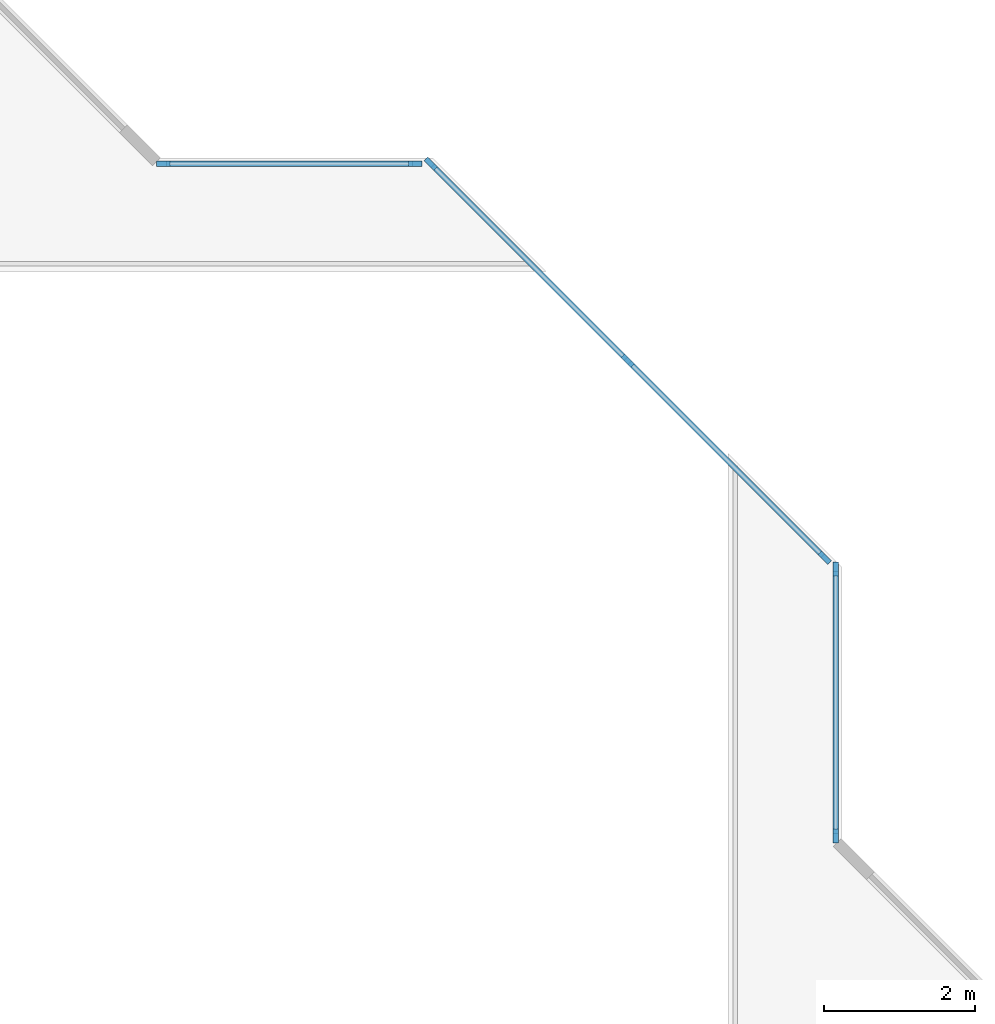
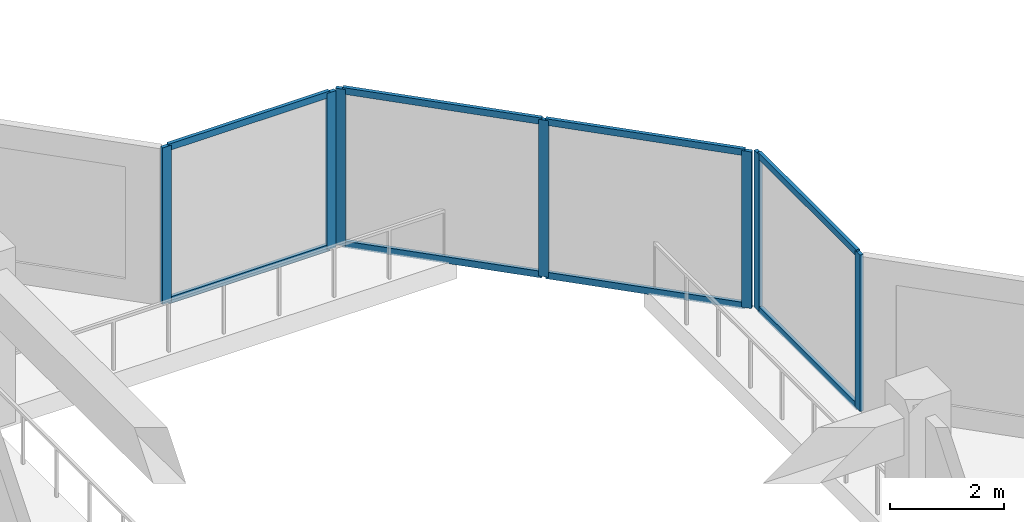
# One storey, part 2 of 14: 15 members, 3 elements without a shape of their own.
"""IFC4 building model written with IfcOpenShell, lengths in metres."""

from ifc_helpers import new_model, si_unit, direction, frame, origin, origin_2d, place, context, subcontext, project, spatial, rectangle, extrude, material, layer, layer_set, material_profile, profile_set, type_object, element, aggregate, save


model = new_model("IFC4")

# Units and contexts
model_context = context("Model", 3, precision=1e-05, world=origin(), true_north=direction((0.0, 1.0)))
body_context = subcontext(model_context, "Body", "Model", "MODEL_VIEW")
ifc_project = project(units=[si_unit("LENGTHUNIT", "METRE"), si_unit("AREAUNIT", "SQUARE_METRE"), si_unit("VOLUMEUNIT", "CUBIC_METRE"), si_unit("PLANEANGLEUNIT", "RADIAN"), si_unit("MASSUNIT", "GRAM", prefix="KILO")], contexts=[model_context])

# Site, building, storey
site_placement = place(None, origin())
site = spatial("IfcSite", under=ifc_project, at=site_placement, CompositionType="ELEMENT")
building_placement = place(site_placement, origin())
building = spatial("IfcBuilding", under=site, at=building_placement, Name="Chenar Terraces", CompositionType="ELEMENT")
storey_placement = place(building_placement, frame((0.0, 0.0, 237.89990234375)))
storey = spatial("IfcBuildingStorey", under=building, at=storey_placement, Name="L56", CompositionType="ELEMENT", Elevation=237.89990234375)

# Curtain wall, members
ifc_material_1 = material(Name="Aluminium framed glazing", Category="aluminium")
ifc_layer = layer(ifc_material_1, 0.14990234375)
ifc_layer_set = layer_set([ifc_layer], Name="Aluminium framed glazing")
curtain_wall_type = type_object("IfcCurtainWallType", Name="Atrium mid-zone curtain wall", PredefinedType="NOTDEFINED", material=ifc_layer_set)
placement = place(storey_placement, origin())
curtain_wall_1 = element("IfcCurtainWall", 1, at=placement, inside=storey, type_object=curtain_wall_type, Name="Atrium mid-zone curtain wall", PredefinedType="NOTDEFINED")
ifc_material_2 = material(Name="Aluminium", Category="aluminium")
ifc_material_profile_1 = material_profile(ifc_material_2, rectangle(XDim=0.070068359375, YDim=0.179931640625, at=origin_2d()), Name="Atrium mid-zone glazing mullion 70 x 180")
ifc_profile_set_1 = profile_set([ifc_material_profile_1], Name="Aluminium")
member_type_1 = type_object("IfcMemberType", Name="Atrium mid-zone glazing mullion 70 x 180", PredefinedType="MULLION", material=ifc_profile_set_1)
member_1_placement = place(storey_placement, frame((37.425048828125, 28.534912109375, 0.0), z_axis=(0.0, 0.0, 1.0), x_axis=(-1.0, 0.0, 0.0)))
member_1 = element("IfcMember", 2, at=member_1_placement, type_object=member_type_1, Name="CW7-1 mullion 1", PredefinedType="MULLION", context=body_context, shape_type="SweptSolid", body=[
    extrude(rectangle(XDim=0.070068359375, YDim=0.179931640625, at=origin_2d()), origin(), (0.0, 0.0, 1.0), 3.35009765625),
])
member_2_placement = place(storey_placement, frame((37.425048828125, 32.06494140625, 0.0), z_axis=(0.0, 0.0, 1.0), x_axis=(-1.0, 0.0, 0.0)))
member_2 = element("IfcMember", 3, at=member_2_placement, type_object=member_type_1, Name="CW7-1 mullion 2", PredefinedType="MULLION", context=body_context, shape_type="SweptSolid", body=[
    extrude(rectangle(XDim=0.070068359375, YDim=0.179931640625, at=origin_2d()), origin(), (0.0, 0.0, 1.0), 3.35009765625),
])

curtain_wall_2 = element("IfcCurtainWall", 4, at=placement, inside=storey, type_object=curtain_wall_type, Name="Atrium mid-zone curtain wall", PredefinedType="NOTDEFINED")
member_3_placement = place(storey_placement, frame((37.28076171875, 32.213134765625, 0.0), z_axis=(0.0, 0.0, 1.0), x_axis=(-0.707106781187, -0.707106781187, 0.0)))
member_3 = element("IfcMember", 5, at=member_3_placement, type_object=member_type_1, Name="CW7-2 mullion 1", PredefinedType="MULLION", context=body_context, shape_type="SweptSolid", body=[
    extrude(rectangle(XDim=0.070068359375, YDim=0.179931640625, at=origin_2d()), origin(), (0.0, 0.0, 1.0), 3.35009765625),
])
member_4_placement = place(storey_placement, frame((34.67626953125, 34.817626953125, 0.0), z_axis=(0.0, 0.0, 1.0), x_axis=(-0.707106781187, -0.707106781187, 0.0)))
member_4 = element("IfcMember", 6, at=member_4_placement, type_object=member_type_1, Name="CW7-2 mullion 2", PredefinedType="MULLION", context=body_context, shape_type="SweptSolid", body=[
    extrude(rectangle(XDim=0.070068359375, YDim=0.179931640625, at=origin_2d()), origin(), (0.0, 0.0, 1.0), 3.35009765625),
])
member_5_placement = place(storey_placement, frame((32.07177734375, 37.42236328125, 0.0), z_axis=(0.0, 0.0, 1.0), x_axis=(-0.707106781187, -0.707106781187, 0.0)))
member_5 = element("IfcMember", 7, at=member_5_placement, type_object=member_type_1, Name="CW7-2 mullion 3", PredefinedType="MULLION", context=body_context, shape_type="SweptSolid", body=[
    extrude(rectangle(XDim=0.070068359375, YDim=0.179931640625, at=origin_2d()), origin(), (0.0, 0.0, 1.0), 3.35009765625),
])

curtain_wall_3 = element("IfcCurtainWall", 8, at=placement, inside=storey, type_object=curtain_wall_type, Name="Atrium mid-zone curtain wall", PredefinedType="NOTDEFINED")
member_6_placement = place(storey_placement, frame((31.864990234375, 37.425048828125, 0.0), z_axis=(0.0, 0.0, 1.0), x_axis=(0.0, -1.0, 0.0)))
member_6 = element("IfcMember", 9, at=member_6_placement, type_object=member_type_1, Name="CW7-3 mullion 1", PredefinedType="MULLION", context=body_context, shape_type="SweptSolid", body=[
    extrude(rectangle(XDim=0.070068359375, YDim=0.179931640625, at=origin_2d()), origin(), (0.0, 0.0, 1.0), 3.35009765625),
])
member_7_placement = place(storey_placement, frame((28.534912109375, 37.425048828125, 0.0), z_axis=(0.0, 0.0, 1.0), x_axis=(0.0, -1.0, 0.0)))
member_7 = element("IfcMember", 10, at=member_7_placement, type_object=member_type_1, Name="CW7-3 mullion 2", PredefinedType="MULLION", context=body_context, shape_type="SweptSolid", body=[
    extrude(rectangle(XDim=0.070068359375, YDim=0.179931640625, at=origin_2d()), origin(), (0.0, 0.0, 1.0), 3.35009765625),
])

# Member
ifc_material_3 = material(Name="Aluminium", Category="aluminium")
ifc_material_profile_2 = material_profile(ifc_material_3, rectangle(XDim=0.070068359375, YDim=0.139892578125, at=origin_2d()), Name="Atrium mid-zone glazing transom 70 x 140")
ifc_profile_set_2 = profile_set([ifc_material_profile_2], Name="Aluminium")
member_type_2 = type_object("IfcMemberType", Name="Atrium mid-zone glazing transom 70 x 140", PredefinedType="USERDEFINED", material=ifc_profile_set_2)
member_8_placement = place(storey_placement, frame((37.425048828125, 28.570068359375, 0.03515625), z_axis=(0.0, 1.0, 0.0), x_axis=(-1.0, 0.0, 0.0)))
member_8 = element("IfcMember", 11, at=member_8_placement, type_object=member_type_2, Name="CW7-1 transom 1.1", ObjectType="TRANSOM", PredefinedType="USERDEFINED", context=body_context, shape_type="SweptSolid", body=[
    extrude(rectangle(XDim=0.070068359375, YDim=0.139892578125, at=origin_2d()), origin(), (0.0, 0.0, 1.0), 3.4599609375),
])

member_9_placement = place(storey_placement, frame((37.425048828125, 28.570068359375, 3.315185546875), z_axis=(0.0, 1.0, 0.0), x_axis=(-1.0, 0.0, 0.0)))
member_9 = element("IfcMember", 12, at=member_9_placement, type_object=member_type_2, Name="CW7-1 transom 1.2", ObjectType="TRANSOM", PredefinedType="USERDEFINED", context=body_context, shape_type="SweptSolid", body=[
    extrude(rectangle(XDim=0.070068359375, YDim=0.139892578125, at=origin_2d()), origin(), (0.0, 0.0, 1.0), 3.4599609375),
])

aggregate(curtain_wall_1, [member_1, member_2, member_8, member_9])

member_10_placement = place(storey_placement, frame((37.256103515625, 32.23779296875, 0.03515625), z_axis=(-0.707106781187, 0.707106781187, 0.0), x_axis=(-0.707106781187, -0.707106781187, 0.0)))
member_10 = element("IfcMember", 13, at=member_10_placement, type_object=member_type_2, Name="CW7-2 transom 1.1", ObjectType="TRANSOM", PredefinedType="USERDEFINED", context=body_context, shape_type="SweptSolid", body=[
    extrude(rectangle(XDim=0.070068359375, YDim=0.139892578125, at=origin_2d()), origin(), (0.0, 0.0, 1.0), 3.613525390625),
])

member_11_placement = place(storey_placement, frame((37.256103515625, 32.23779296875, 3.315185546875), z_axis=(-0.707106781187, 0.707106781187, 0.0), x_axis=(-0.707106781187, -0.707106781187, 0.0)))
member_11 = element("IfcMember", 14, at=member_11_placement, type_object=member_type_2, Name="CW7-2 transom 1.2", ObjectType="TRANSOM", PredefinedType="USERDEFINED", context=body_context, shape_type="SweptSolid", body=[
    extrude(rectangle(XDim=0.070068359375, YDim=0.139892578125, at=origin_2d()), origin(), (0.0, 0.0, 1.0), 3.613525390625),
])

member_12_placement = place(storey_placement, frame((34.651611328125, 34.842529296875, 0.03515625), z_axis=(-0.707140563131, 0.707072997628, 0.0), x_axis=(-0.707072997628, -0.707140563131, 0.0)))
member_12 = element("IfcMember", 15, at=member_12_placement, type_object=member_type_2, Name="CW7-2 transom 2.1", ObjectType="TRANSOM", PredefinedType="USERDEFINED", context=body_context, shape_type="SweptSolid", body=[
    extrude(rectangle(XDim=0.070068359375, YDim=0.139892578125, at=origin_2d()), origin(), (0.0, 0.0, 1.0), 3.61328125),
])

member_13_placement = place(storey_placement, frame((34.651611328125, 34.842529296875, 3.315185546875), z_axis=(-0.707140563131, 0.707072997628, 0.0), x_axis=(-0.707072997628, -0.707140563131, 0.0)))
member_13 = element("IfcMember", 16, at=member_13_placement, type_object=member_type_2, Name="CW7-2 transom 2.2", ObjectType="TRANSOM", PredefinedType="USERDEFINED", context=body_context, shape_type="SweptSolid", body=[
    extrude(rectangle(XDim=0.070068359375, YDim=0.139892578125, at=origin_2d()), origin(), (0.0, 0.0, 1.0), 3.61328125),
])

aggregate(curtain_wall_2, [member_3, member_4, member_5, member_10, member_11, member_12, member_13])

member_14_placement = place(storey_placement, frame((31.830078125, 37.425048828125, 0.03515625), z_axis=(-1.0, 0.0, 0.0), x_axis=(0.0, -1.0, 0.0)))
member_14 = element("IfcMember", 17, at=member_14_placement, type_object=member_type_2, Name="CW7-3 transom 1.1", ObjectType="TRANSOM", PredefinedType="USERDEFINED", context=body_context, shape_type="SweptSolid", body=[
    extrude(rectangle(XDim=0.070068359375, YDim=0.139892578125, at=origin_2d()), origin(), (0.0, 0.0, 1.0), 3.260009765625),
])

member_15_placement = place(storey_placement, frame((31.830078125, 37.425048828125, 3.315185546875), z_axis=(-1.0, 0.0, 0.0), x_axis=(0.0, -1.0, 0.0)))
member_15 = element("IfcMember", 18, at=member_15_placement, type_object=member_type_2, Name="CW7-3 transom 1.2", ObjectType="TRANSOM", PredefinedType="USERDEFINED", context=body_context, shape_type="SweptSolid", body=[
    extrude(rectangle(XDim=0.070068359375, YDim=0.139892578125, at=origin_2d()), origin(), (0.0, 0.0, 1.0), 3.260009765625),
])

aggregate(curtain_wall_3, [member_6, member_7, member_14, member_15])

save(model, "model.ifc")
